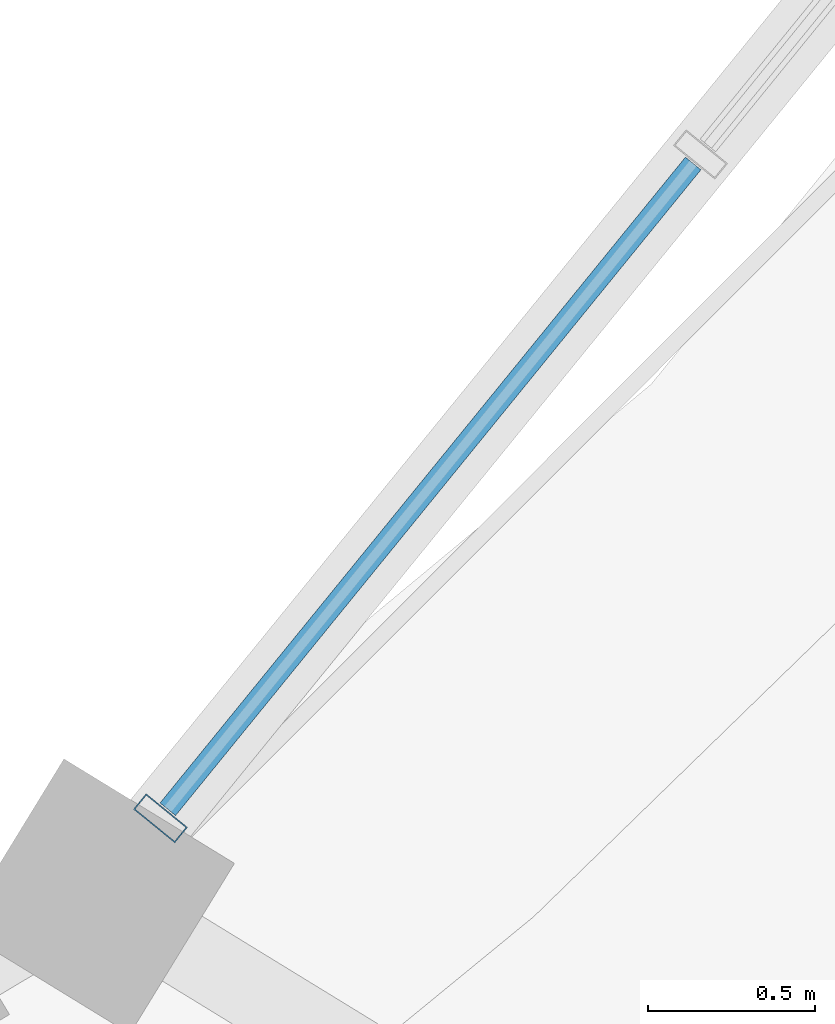
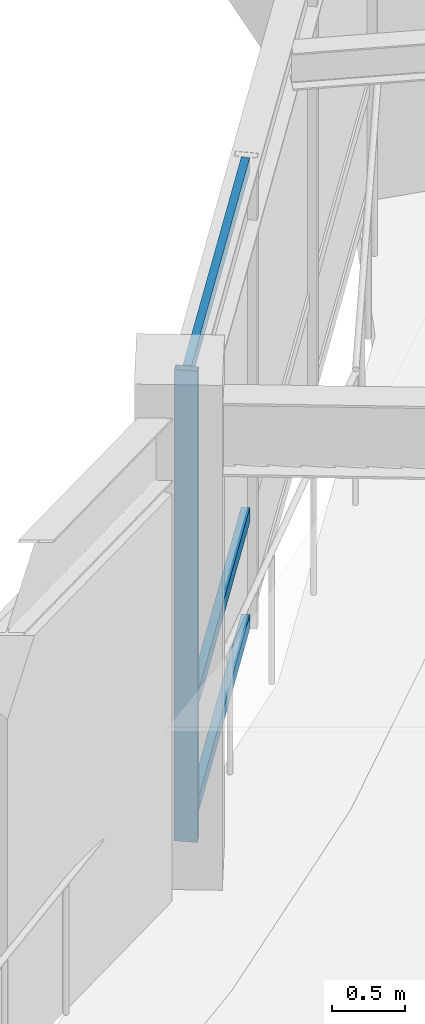
# One storey, part 55 of 114: 4 members, 1 element without a shape of its own.
"""IFC4 building model written with IfcOpenShell, lengths in metres."""

from ifc_helpers import new_model, si_unit, direction, frame, origin, origin_2d, place, context, subcontext, project, spatial, hollow_rectangle, extrude, material, material_profile, profile_set, type_object, element, aggregate, save


model = new_model("IFC4")

# Units and contexts
model_context = context("Model", 3, precision=1e-05, world=origin(), true_north=direction((0.0, 1.0)))
body_context = subcontext(model_context, "Body", "Model", "MODEL_VIEW")
ifc_project = project(units=[si_unit("LENGTHUNIT", "METRE"), si_unit("AREAUNIT", "SQUARE_METRE"), si_unit("VOLUMEUNIT", "CUBIC_METRE"), si_unit("PLANEANGLEUNIT", "RADIAN"), si_unit("MASSUNIT", "GRAM", prefix="KILO"), si_unit("THERMODYNAMICTEMPERATUREUNIT", "KELVIN"), si_unit("POWERUNIT", "WATT")], contexts=[model_context])

# Site, building, storey
site_placement = place(None, origin())
site = spatial("IfcSite", under=ifc_project, at=site_placement, CompositionType="ELEMENT")
building_placement = place(site_placement, origin())
building = spatial("IfcBuilding", under=site, at=building_placement, Name="Darbajah Civic Hall", CompositionType="ELEMENT")
storey_placement = place(building_placement, frame((0.0, 0.0, 13.800048828125)))
storey = spatial("IfcBuildingStorey", under=building, at=storey_placement, Name="L03", CompositionType="ELEMENT", Elevation=13.800048828125)

# Curtain wall, members
ifc_material_1 = material(Name="Anodised Bronze Aluminium and Low-E Glazing", Category="aluminium")
curtain_wall_type = type_object("IfcCurtainWallType", Name="Unitised Curtain Wall CW-52 7700x3900", PredefinedType="USERDEFINED", material=ifc_material_1)
curtain_wall_placement = place(storey_placement, origin())
curtain_wall = element("IfcCurtainWall", 1, at=curtain_wall_placement, inside=storey, type_object=curtain_wall_type, Name="L03 unitised curtain wall CW-V1I-L03-18", ObjectType="UNITISED CURTAIN WALL", PredefinedType="USERDEFINED")
ifc_material_2 = material(Name="Anodised Bronze Aluminium", Category="aluminium")
ifc_material_profile_1 = material_profile(ifc_material_2, hollow_rectangle(XDim=0.06005859375, YDim=0.159912109375, WallThickness=0.00341796875, at=origin_2d()), Name="ALU MULLION 60x160")
ifc_profile_set_1 = profile_set([ifc_material_profile_1], Name="Anodised Bronze Aluminium")
member_type_1 = type_object("IfcMemberType", Name="ALU MULLION 60x160", PredefinedType="MULLION", material=ifc_profile_set_1)
member_1_placement = place(storey_placement, frame((126.63623046875, 78.382568359375, 0.0), z_axis=(0.0, 0.0, 1.0), x_axis=(0.63108205791, 0.775716079622, 0.0)))
member_1 = element("IfcMember", 2, at=member_1_placement, type_object=member_type_1, Name="CW-V1I-L03-18 mullion 1", PredefinedType="MULLION", context=body_context, shape_type="SweptSolid", body=[
    extrude(hollow_rectangle(XDim=0.06005859375, YDim=0.159912109375, WallThickness=0.00341796875, at=origin_2d()), origin(), (0.0, 0.0, 1.0), 3.919921875),
])
ifc_material_profile_2 = material_profile(ifc_material_2, hollow_rectangle(XDim=0.06005859375, YDim=0.1201171875, WallThickness=0.003173828125, at=origin_2d()), Name="ALU TRANSOM 60x120")
ifc_profile_set_2 = profile_set([ifc_material_profile_2], Name="Anodised Bronze Aluminium")
member_type_2 = type_object("IfcMemberType", Name="ALU TRANSOM 60x120", PredefinedType="USERDEFINED", material=ifc_profile_set_2)
member_2_placement = place(storey_placement, frame((126.658203125, 78.40966796875, 0.06005859375), z_axis=(0.631096435911, 0.77570438221, 0.0), x_axis=(-0.77570438221, 0.631096435911, 0.0)))
member_2 = element("IfcMember", 3, at=member_2_placement, type_object=member_type_2, Name="CW-V1I-L03-18 transom 1.1", ObjectType="TRANSOM", PredefinedType="USERDEFINED", context=body_context, shape_type="SweptSolid", body=[
    extrude(hollow_rectangle(XDim=0.06005859375, YDim=0.1201171875, WallThickness=0.003173828125, at=origin_2d()), origin(), (0.0, 0.0, 1.0), 2.498779296875),
])
member_3_placement = place(storey_placement, frame((126.658203125, 78.40966796875, 0.949951171875), z_axis=(0.631096435911, 0.77570438221, 0.0), x_axis=(-0.77570438221, 0.631096435911, 0.0)))
member_3 = element("IfcMember", 4, at=member_3_placement, type_object=member_type_2, Name="CW-V1I-L03-18 transom 1.2", ObjectType="TRANSOM", PredefinedType="USERDEFINED", context=body_context, shape_type="SweptSolid", body=[
    extrude(hollow_rectangle(XDim=0.06005859375, YDim=0.1201171875, WallThickness=0.003173828125, at=origin_2d()), origin(), (0.0, 0.0, 1.0), 2.498779296875),
])
member_4_placement = place(storey_placement, frame((126.658203125, 78.40966796875, 3.85986328125), z_axis=(0.631096435911, 0.77570438221, 0.0), x_axis=(-0.77570438221, 0.631096435911, 0.0)))
member_4 = element("IfcMember", 5, at=member_4_placement, type_object=member_type_2, Name="CW-V1I-L03-18 transom 1.3", ObjectType="TRANSOM", PredefinedType="USERDEFINED", context=body_context, shape_type="SweptSolid", body=[
    extrude(hollow_rectangle(XDim=0.06005859375, YDim=0.1201171875, WallThickness=0.003173828125, at=origin_2d()), origin(), (0.0, 0.0, 1.0), 2.498779296875),
])
aggregate(curtain_wall, [member_1, member_2, member_3, member_4])

save(model, "model.ifc")
